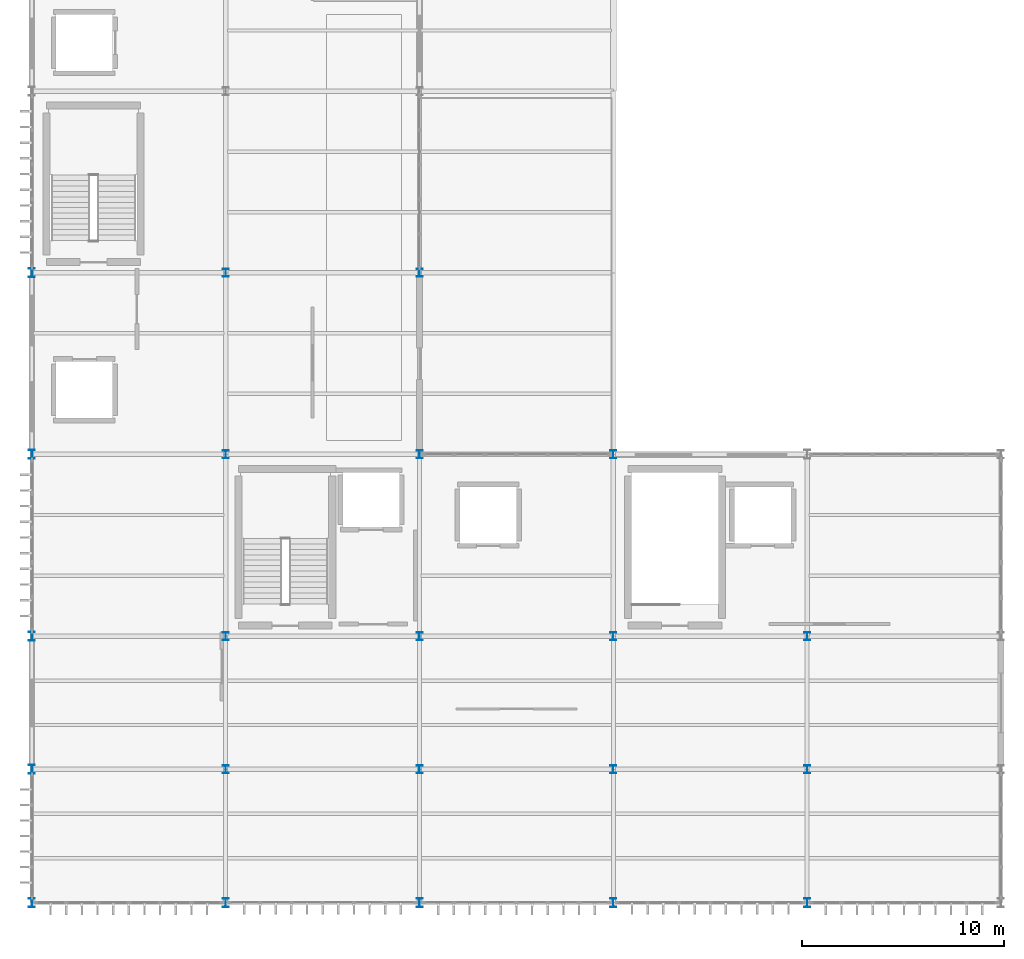
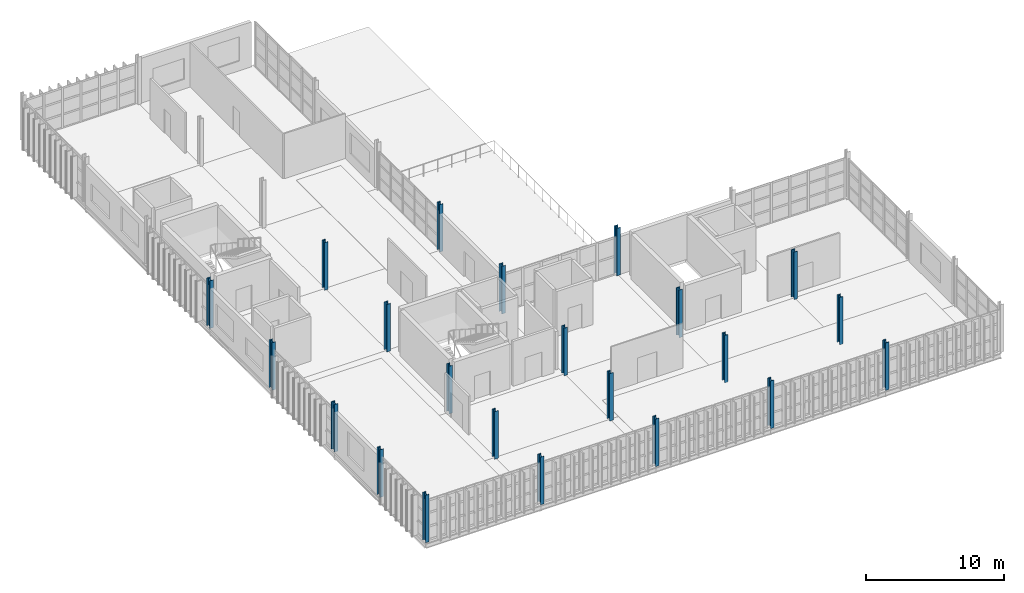
# One storey, part 1 of 38: 22 columns.
"""IFC4 building model written with IfcOpenShell, lengths in metres."""

from ifc_helpers import new_model, si_unit, direction, frame, origin, origin_2d, place, context, subcontext, project, spatial, i_section, extrude, material, material_profile, profile_set, type_object, element, save


model = new_model("IFC4")

# Units and contexts
model_context = context("Model", 3, precision=1e-05, world=origin(), true_north=direction((0.0, 1.0)))
body_context = subcontext(model_context, "Body", "Model", "MODEL_VIEW")
ifc_project = project(units=[si_unit("LENGTHUNIT", "METRE"), si_unit("AREAUNIT", "SQUARE_METRE"), si_unit("VOLUMEUNIT", "CUBIC_METRE"), si_unit("PLANEANGLEUNIT", "RADIAN"), si_unit("MASSUNIT", "GRAM", prefix="KILO")], contexts=[model_context])

# Site, building, storey
site_placement = place(None, origin())
site = spatial("IfcSite", under=ifc_project, at=site_placement, CompositionType="ELEMENT")
building_placement = place(site_placement, origin())
building = spatial("IfcBuilding", under=site, at=building_placement, Name="Zarnetskaya Central Station", CompositionType="ELEMENT")
storey_placement = place(building_placement, frame((0.0, 0.0, 18.60009765625)))
storey = spatial("IfcBuildingStorey", under=building, at=storey_placement, Name="L04", CompositionType="ELEMENT", Elevation=18.60009765625)

# Columns
ifc_material = material(Name="Steel S355", Category="steel")
ifc_material_profile_1 = material_profile(ifc_material, i_section(OverallWidth=0.300048828125, OverallDepth=0.449951171875, WebThickness=0.013916015625, FlangeThickness=0.02587890625, FilletRadius=0.027099609375, at=origin_2d()), Name="HEB 450")
ifc_profile_set_1 = profile_set([ifc_material_profile_1], Name="Steel S355")
column_type_1 = type_object("IfcColumnType", Name="COL-V5-TOP-E", PredefinedType="COLUMN", material=ifc_profile_set_1)
for number, where, z_axis, x_axis, name in (
    (1, (0.0, 0.0, 0.0), (0.0, 0.0, 1.0), (1.0, 0.0, 0.0), "Column A1 L04"),
    (2, (0.0, 6.60009765625, 0.0), (0.0, 0.0, 1.0), (1.0, 0.0, 0.0), "Column A2 L04"),
    (3, (0.0, 13.199951171875, 0.0), (0.0, 0.0, 1.0), (1.0, 0.0, 0.0), "Column A3 L04"),
    (4, (0.0, 22.199951171875, 0.0), (0.0, 0.0, 1.0), (1.0, 0.0, 0.0), "Column A4 L04"),
    (5, (0.0, 31.199951171875, 0.0), (0.0, 0.0, 1.0), (1.0, 0.0, 0.0), "Column A5 L04"),
    (6, (9.60009765625, 0.0, 0.0), (0.0, 0.0, 1.0), (1.0, 0.0, 0.0), "Column B1 L04"),
    (7, (19.199951171875, 0.0, 0.0), (0.0, 0.0, 1.0), (1.0, 0.0, 0.0), "Column C1 L04"),
    (8, (28.800048828125, 0.0, 0.0), (0.0, 0.0, 1.0), (1.0, 0.0, 0.0), "Column D1 L04"),
    (9, (38.39990234375, 0.0, 0.0), (0.0, 0.0, 1.0), (1.0, 0.0, 0.0), "Column E1 L04"),
):
    element("IfcColumn", number, at=place(storey_placement, frame(where, z_axis=z_axis, x_axis=x_axis)), inside=storey, type_object=column_type_1, Name=name, PredefinedType="COLUMN", context=body_context, shape_type="SweptSolid", body=[
        extrude(i_section(OverallWidth=0.300048828125, OverallDepth=0.449951171875, WebThickness=0.013916015625, FlangeThickness=0.02587890625, FilletRadius=0.027099609375, at=origin_2d()), origin(), (0.0, 0.0, 1.0), 4.199951171875),
    ])
ifc_material_profile_2 = material_profile(ifc_material, i_section(OverallWidth=0.300048828125, OverallDepth=0.39990234375, WebThickness=0.013427734375, FlangeThickness=0.02392578125, FilletRadius=0.027099609375, at=origin_2d()), Name="HEB 400")
ifc_profile_set_2 = profile_set([ifc_material_profile_2], Name="Steel S355")
column_type_2 = type_object("IfcColumnType", Name="COL-V5-TOP-I", PredefinedType="COLUMN", material=ifc_profile_set_2)
for number, where, z_axis, x_axis, name in (
    (10, (9.60009765625, 6.60009765625, 0.0), (0.0, 0.0, 1.0), (1.0, 0.0, 0.0), "Column B2 L04"),
    (11, (9.60009765625, 13.199951171875, 0.0), (0.0, 0.0, 1.0), (1.0, 0.0, 0.0), "Column B3 L04"),
    (12, (9.60009765625, 22.199951171875, 0.0), (0.0, 0.0, 1.0), (1.0, 0.0, 0.0), "Column B4 L04"),
    (13, (9.60009765625, 31.199951171875, 0.0), (0.0, 0.0, 1.0), (1.0, 0.0, 0.0), "Column B5 L04"),
    (14, (19.199951171875, 6.60009765625, 0.0), (0.0, 0.0, 1.0), (1.0, 0.0, 0.0), "Column C2 L04"),
    (15, (19.199951171875, 13.199951171875, 0.0), (0.0, 0.0, 1.0), (1.0, 0.0, 0.0), "Column C3 L04"),
    (16, (19.199951171875, 22.199951171875, 0.0), (0.0, 0.0, 1.0), (1.0, 0.0, 0.0), "Column C4 L04"),
    (17, (19.199951171875, 31.199951171875, 0.0), (0.0, 0.0, 1.0), (1.0, 0.0, 0.0), "Column C5 L04"),
    (18, (28.800048828125, 6.60009765625, 0.0), (0.0, 0.0, 1.0), (1.0, 0.0, 0.0), "Column D2 L04"),
    (19, (28.800048828125, 13.199951171875, 0.0), (0.0, 0.0, 1.0), (1.0, 0.0, 0.0), "Column D3 L04"),
    (20, (28.800048828125, 22.199951171875, 0.0), (0.0, 0.0, 1.0), (1.0, 0.0, 0.0), "Column D4 L04"),
    (21, (38.39990234375, 6.60009765625, 0.0), (0.0, 0.0, 1.0), (1.0, 0.0, 0.0), "Column E2 L04"),
    (22, (38.39990234375, 13.199951171875, 0.0), (0.0, 0.0, 1.0), (1.0, 0.0, 0.0), "Column E3 L04"),
):
    element("IfcColumn", number, at=place(storey_placement, frame(where, z_axis=z_axis, x_axis=x_axis)), inside=storey, type_object=column_type_2, Name=name, PredefinedType="COLUMN", context=body_context, shape_type="SweptSolid", body=[
        extrude(i_section(OverallWidth=0.300048828125, OverallDepth=0.39990234375, WebThickness=0.013427734375, FlangeThickness=0.02392578125, FilletRadius=0.027099609375, at=origin_2d()), origin(), (0.0, 0.0, 1.0), 4.199951171875),
    ])

save(model, "model.ifc")
